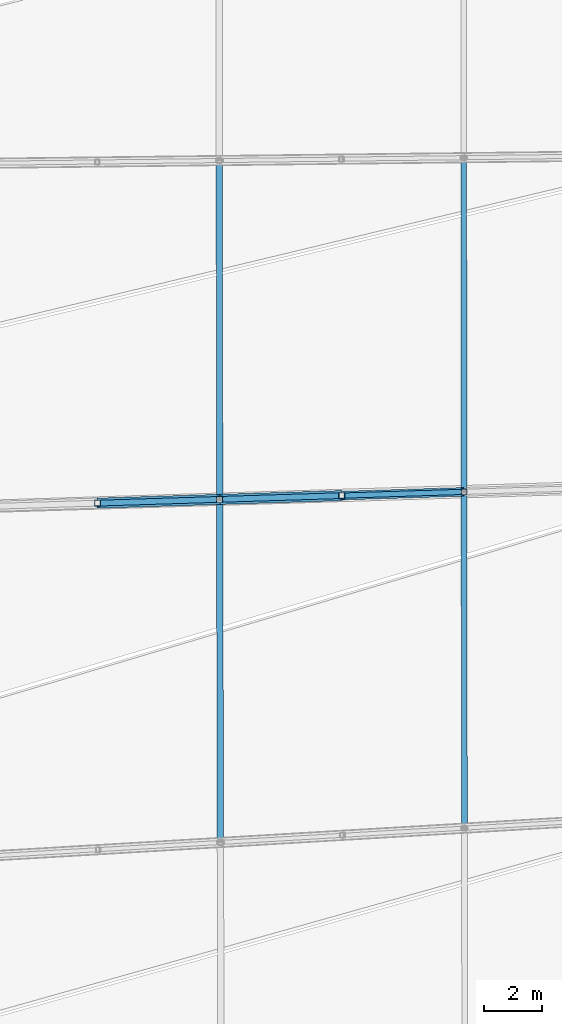
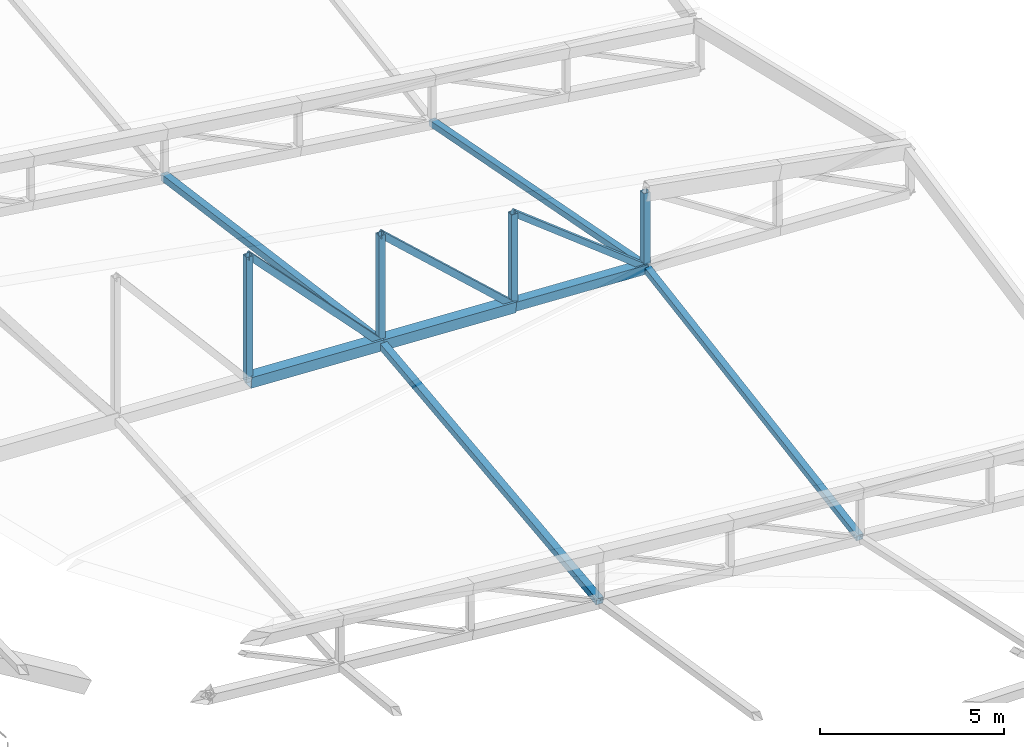
# One storey, part 56 of 344: 14 members.
"""IFC4 building model written with IfcOpenShell, lengths in metres."""

from ifc_helpers import new_model, si_unit, direction, frame, origin, origin_2d, place, context, subcontext, project, spatial, hollow_rectangle, extrude, material, material_profile, profile_set, type_object, element, save


model = new_model("IFC4")

# Units and contexts
model_context = context("Model", 3, precision=1e-05, world=origin(), true_north=direction((0.0, 1.0)))
body_context = subcontext(model_context, "Body", "Model", "MODEL_VIEW")
ifc_project = project(units=[si_unit("LENGTHUNIT", "METRE"), si_unit("AREAUNIT", "SQUARE_METRE"), si_unit("VOLUMEUNIT", "CUBIC_METRE"), si_unit("PLANEANGLEUNIT", "RADIAN"), si_unit("MASSUNIT", "GRAM", prefix="KILO")], contexts=[model_context])

# Site, building, storey
site_placement = place(None, origin())
site = spatial("IfcSite", under=ifc_project, at=site_placement, CompositionType="ELEMENT")
building_placement = place(site_placement, origin())
building = spatial("IfcBuilding", under=site, at=building_placement, Name="Meseta Stadium", CompositionType="ELEMENT")
storey_placement = place(building_placement, frame((0.0, 0.0, 24.0)))
storey = spatial("IfcBuildingStorey", under=building, at=storey_placement, Name="L04", CompositionType="ELEMENT", Elevation=24.0)

# Members
ifc_material_1 = material(Name="Steel S355", Category="steel")
ifc_material_profile_1 = material_profile(ifc_material_1, hollow_rectangle(XDim=0.179931640625, YDim=0.179931640625, WallThickness=0.00634765625, at=origin_2d()), Name="SHS 180x180x6.3")
ifc_profile_set_1 = profile_set([ifc_material_profile_1], Name="Steel S355")
member_type_1 = type_object("IfcMemberType", Name="SHS 180x180x6.3 diagonal", PredefinedType="BRACE", material=ifc_profile_set_1)
member_1_placement = place(storey_placement, frame((-55.437255859375, -17.33251953125, 4.720947265625), z_axis=(-0.783105689029, -0.024146438288, 0.621419688558), x_axis=(0.030819553754, -0.999524964724, 0.0)))
element("IfcMember", 1, at=member_1_placement, inside=storey, type_object=member_type_1, Name="ROOF TRUSS RT-34 diagonal", PredefinedType="BRACE", context=body_context, shape_type="SweptSolid", body=[
    extrude(hollow_rectangle(XDim=0.179931640625, YDim=0.179931640625, WallThickness=0.00634765625, at=origin_2d()), origin(), (0.0, 0.0, 1.0), 5.38916015625),
])
ifc_material_2 = material(Name="Steel S355", Category="steel")
ifc_material_profile_2 = material_profile(ifc_material_2, hollow_rectangle(XDim=0.199951171875, YDim=0.199951171875, WallThickness=0.008056640625, at=origin_2d()), Name="SHS 200x200x8")
ifc_profile_set_2 = profile_set([ifc_material_profile_2], Name="Steel S355")
member_type_2 = type_object("IfcMemberType", Name="SHS 200x200x8 diagonal", PredefinedType="BRACE", material=ifc_profile_set_2)
member_2_placement = place(storey_placement, frame((-59.657470703125, -17.462646484375, 5.025390625), z_axis=(-0.734515583044, -0.02264820119, 0.67821376958), x_axis=(0.030819553754, -0.999524964724, 0.0)))
element("IfcMember", 2, at=member_2_placement, inside=storey, type_object=member_type_2, Name="ROOF TRUSS RT-34 diagonal", PredefinedType="BRACE", context=body_context, shape_type="SweptSolid", body=[
    extrude(hollow_rectangle(XDim=0.199951171875, YDim=0.199951171875, WallThickness=0.008056640625, at=origin_2d()), origin(), (0.0, 0.0, 1.0), 5.74560546875),
])
member_3_placement = place(storey_placement, frame((-63.877685546875, -17.5927734375, 5.32958984375), z_axis=(-0.688371343132, -0.021225380417, 0.725047844753), x_axis=(0.030819553754, -0.999524964724, 0.0)))
element("IfcMember", 3, at=member_3_placement, inside=storey, type_object=member_type_2, Name="ROOF TRUSS RT-34 diagonal", PredefinedType="BRACE", context=body_context, shape_type="SweptSolid", body=[
    extrude(hollow_rectangle(XDim=0.199951171875, YDim=0.199951171875, WallThickness=0.008056640625, at=origin_2d()), origin(), (0.0, 0.0, 1.0), 6.130615234375),
])
ifc_material_3 = material(Name="Steel S355", Category="steel")
ifc_material_profile_3 = material_profile(ifc_material_3, hollow_rectangle(XDim=0.199951171875, YDim=0.199951171875, WallThickness=0.008056640625, at=origin_2d()), Name="SHS 200x200x8")
ifc_profile_set_3 = profile_set([ifc_material_profile_3], Name="Steel S355")
member_type_3 = type_object("IfcMemberType", Name="SHS 200x200x8 post", PredefinedType="POST", material=ifc_profile_set_3)
member_4_placement = place(storey_placement, frame((-55.437255859375, -17.33251953125, 4.720947265625), z_axis=(0.0, 0.0, 1.0), x_axis=(1.0, 0.0, 0.0)))
element("IfcMember", 4, at=member_4_placement, inside=storey, type_object=member_type_3, Name="ROOF TRUSS RT-34 post", PredefinedType="POST", context=body_context, shape_type="SweptSolid", body=[
    extrude(hollow_rectangle(XDim=0.199951171875, YDim=0.199951171875, WallThickness=0.008056640625, at=origin_2d()), origin(), (0.0, 0.0, 1.0), 2.496337890625),
])
member_5_placement = place(storey_placement, frame((-59.657470703125, -17.462646484375, 5.025390625), z_axis=(0.0, 0.0, 1.0), x_axis=(1.0, 0.0, 0.0)))
element("IfcMember", 5, at=member_5_placement, inside=storey, type_object=member_type_3, Name="ROOF TRUSS RT-34 post", PredefinedType="POST", context=body_context, shape_type="SweptSolid", body=[
    extrude(hollow_rectangle(XDim=0.199951171875, YDim=0.199951171875, WallThickness=0.008056640625, at=origin_2d()), origin(), (0.0, 0.0, 1.0), 3.04443359375),
])
member_6_placement = place(storey_placement, frame((-63.877685546875, -17.5927734375, 5.32958984375), z_axis=(0.0, 0.0, 1.0), x_axis=(1.0, 0.0, 0.0)))
element("IfcMember", 6, at=member_6_placement, inside=storey, type_object=member_type_3, Name="ROOF TRUSS RT-34 post", PredefinedType="POST", context=body_context, shape_type="SweptSolid", body=[
    extrude(hollow_rectangle(XDim=0.199951171875, YDim=0.199951171875, WallThickness=0.008056640625, at=origin_2d()), origin(), (0.0, 0.0, 1.0), 3.592529296875),
])
member_7_placement = place(storey_placement, frame((-68.097900390625, -17.722900390625, 5.6337890625), z_axis=(0.0, 0.0, 1.0), x_axis=(1.0, 0.0, 0.0)))
element("IfcMember", 7, at=member_7_placement, inside=storey, type_object=member_type_3, Name="ROOF TRUSS RT-34 post", PredefinedType="POST", context=body_context, shape_type="SweptSolid", body=[
    extrude(hollow_rectangle(XDim=0.199951171875, YDim=0.199951171875, WallThickness=0.008056640625, at=origin_2d()), origin(), (0.0, 0.0, 1.0), 4.140869140625),
])
ifc_material_4 = material(Name="Steel S355", Category="steel")
ifc_material_profile_4 = material_profile(ifc_material_4, hollow_rectangle(XDim=0.199951171875, YDim=0.199951171875, WallThickness=0.008056640625, at=origin_2d()), Name="SHS 200x200x8")
ifc_profile_set_4 = profile_set([ifc_material_profile_4], Name="Steel S355")
member_type_4 = type_object("IfcMemberType", Name="SHS 200x200x8 strut", PredefinedType="STRUT", material=ifc_profile_set_4)
member_8_placement = place(storey_placement, frame((-55.443603515625, -5.7900390625, 2.510009765625), z_axis=(0.000540119194, -0.982144433371, 0.188127670134), x_axis=(0.999999848784, 0.000549938578, 0.0)))
element("IfcMember", 8, at=member_8_placement, inside=storey, type_object=member_type_4, Name="ROOF TRUSS STRUT RT-33/34", PredefinedType="STRUT", context=body_context, shape_type="SweptSolid", body=[
    extrude(hollow_rectangle(XDim=0.199951171875, YDim=0.199951171875, WallThickness=0.008056640625, at=origin_2d()), origin(), (0.0, 0.0, 1.0), 11.75244140625),
])
member_9_placement = place(storey_placement, frame((-55.437255859375, -17.33251953125, 4.720947265625), z_axis=(0.001389093179, -0.986463484568, -0.163975193347), x_axis=(0.999999008552, 0.001408153291, 0.0)))
element("IfcMember", 9, at=member_9_placement, inside=storey, type_object=member_type_4, Name="ROOF TRUSS STRUT RT-34/35", PredefinedType="STRUT", context=body_context, shape_type="SweptSolid", body=[
    extrude(hollow_rectangle(XDim=0.199951171875, YDim=0.199951171875, WallThickness=0.008056640625, at=origin_2d()), origin(), (0.0, 0.0, 1.0), 11.775634765625),
])
ifc_material_5 = material(Name="Steel S355", Category="steel")
ifc_material_profile_5 = material_profile(ifc_material_5, hollow_rectangle(XDim=0.219970703125, YDim=0.219970703125, WallThickness=0.008056640625, at=origin_2d()), Name="SHS 220x220x8")
ifc_profile_set_5 = profile_set([ifc_material_profile_5], Name="Steel S355")
member_type_5 = type_object("IfcMemberType", Name="SHS 220x220x8 strut", PredefinedType="STRUT", material=ifc_profile_set_5)
member_10_placement = place(storey_placement, frame((-63.887451171875, -5.88916015625, 3.73583984375), z_axis=(0.000826780188, -0.990854716592, 0.13493052672), x_axis=(0.999999651879, 0.000834410824, 0.0)))
element("IfcMember", 10, at=member_10_placement, inside=storey, type_object=member_type_5, Name="ROOF TRUSS STRUT RT-33/34", PredefinedType="STRUT", context=body_context, shape_type="SweptSolid", body=[
    extrude(hollow_rectangle(XDim=0.219970703125, YDim=0.219970703125, WallThickness=0.008056640625, at=origin_2d()), origin(), (0.0, 0.0, 1.0), 11.8115234375),
])
member_11_placement = place(storey_placement, frame((-63.877685546875, -17.5927734375, 5.32958984375), z_axis=(0.002271021245, -0.993152371878, -0.11680414674), x_axis=(0.999997385559, 0.002286673598, 0.0)))
element("IfcMember", 11, at=member_11_placement, inside=storey, type_object=member_type_5, Name="ROOF TRUSS STRUT RT-34/35", PredefinedType="STRUT", context=body_context, shape_type="SweptSolid", body=[
    extrude(hollow_rectangle(XDim=0.219970703125, YDim=0.219970703125, WallThickness=0.008056640625, at=origin_2d()), origin(), (0.0, 0.0, 1.0), 11.932861328125),
])
ifc_material_6 = material(Name="Steel S355", Category="steel")
ifc_material_profile_6 = material_profile(ifc_material_6, hollow_rectangle(XDim=0.300048828125, YDim=0.300048828125, WallThickness=0.010009765625, at=origin_2d()), Name="SHS 300x300x10")
ifc_profile_set_6 = profile_set([ifc_material_profile_6], Name="Steel S355")
member_type_6 = type_object("IfcMemberType", Name="SHS 300x300x10 bottom chord", PredefinedType="CHORD", material=ifc_profile_set_6)
member_12_placement = place(storey_placement, frame((-55.437255859375, -17.33251953125, 4.720947265625), z_axis=(-0.996936719708, -0.030739747287, 0.071918320576), x_axis=(0.030819553754, -0.999524964724, 0.0)))
element("IfcMember", 12, at=member_12_placement, inside=storey, type_object=member_type_6, Name="ROOF TRUSS RT-34 bottom chord", PredefinedType="CHORD", context=body_context, shape_type="SweptSolid", body=[
    extrude(hollow_rectangle(XDim=0.300048828125, YDim=0.300048828125, WallThickness=0.010009765625, at=origin_2d()), origin(), (0.0, 0.0, 1.0), 4.233154296875),
])
ifc_material_7 = material(Name="Steel S355", Category="steel")
ifc_material_profile_7 = material_profile(ifc_material_7, hollow_rectangle(XDim=0.35009765625, YDim=0.35009765625, WallThickness=0.01416015625, at=origin_2d()), Name="SHS 350x350x14.2")
ifc_profile_set_7 = profile_set([ifc_material_profile_7], Name="Steel S355")
member_type_7 = type_object("IfcMemberType", Name="SHS 350x350x14.2 bottom chord", PredefinedType="CHORD", material=ifc_profile_set_7)
for number, where, z_axis, x_axis, name in (
    (13, (-59.657470703125, -17.462646484375, 5.025390625), (-0.996940853121, -0.030739874738, 0.071860945446), (0.030819553754, -0.999524964724, 0.0), "ROOF TRUSS RT-34 bottom chord"),
    (14, (-63.877685546875, -17.5927734375, 5.32958984375), (-0.996940853121, -0.030739874738, 0.071860945446), (0.030819553754, -0.999524964724, 0.0), "ROOF TRUSS RT-34 bottom chord"),
):
    element("IfcMember", number, at=place(storey_placement, frame(where, z_axis=z_axis, x_axis=x_axis)), inside=storey, type_object=member_type_7, Name=name, PredefinedType="CHORD", context=body_context, shape_type="SweptSolid", body=[
        extrude(hollow_rectangle(XDim=0.35009765625, YDim=0.35009765625, WallThickness=0.01416015625, at=origin_2d()), origin(), (0.0, 0.0, 1.0), 4.233154296875),
    ])

save(model, "model.ifc")
